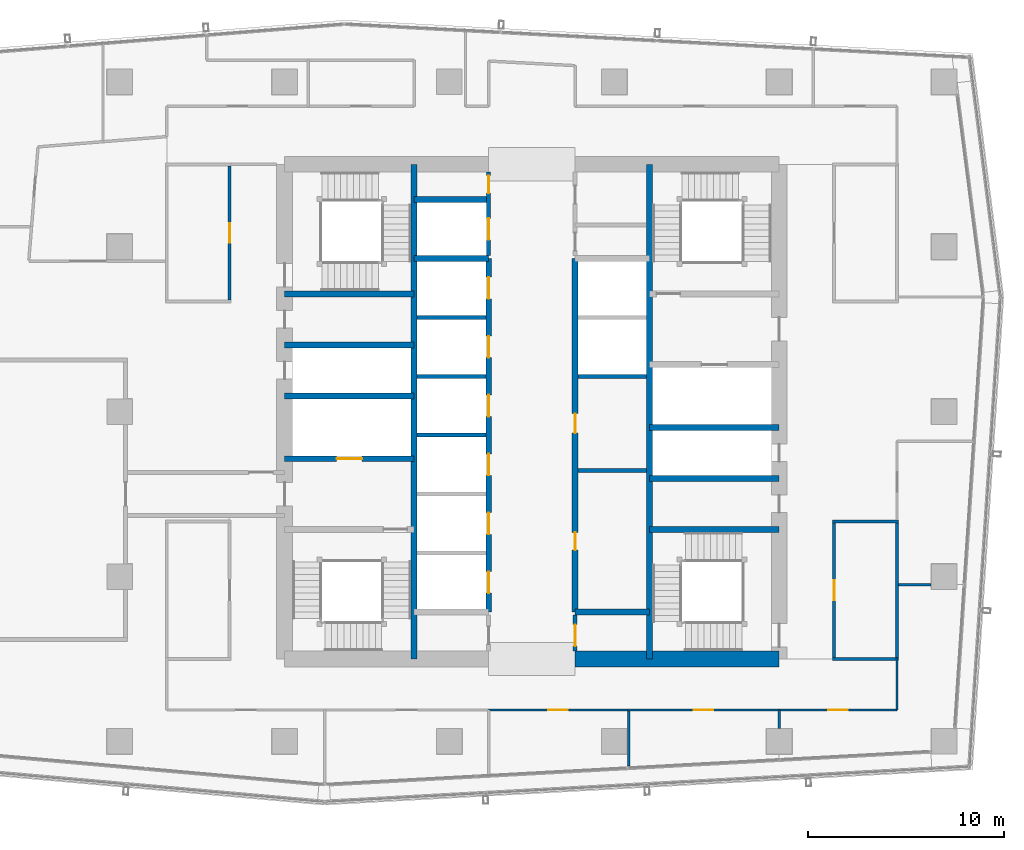
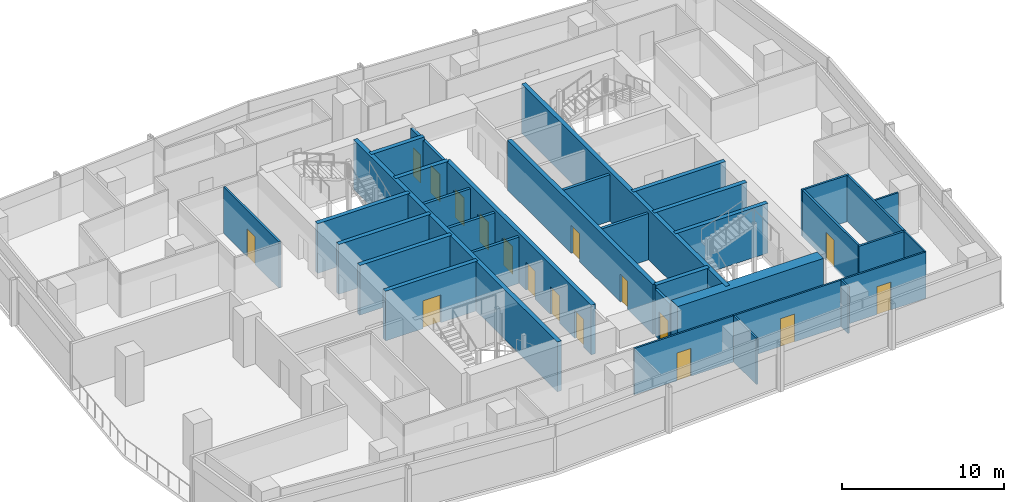
# One storey, part 21 of 28: 34 walls, 17 doors, 17 openings.
"""IFC4 building model written with IfcOpenShell, lengths in metres."""

from ifc_helpers import new_model, si_unit, direction, frame, frame_2d, origin, place, context, subcontext, project, spatial, rectangle, extrude, material, layer, layer_set, type_object, element, fill, save


model = new_model("IFC4")

# Units and contexts
model_context = context("Model", 3, precision=1e-05, world=origin(), true_north=direction((0.0, 1.0)))
body_context = subcontext(model_context, "Body", "Model", "MODEL_VIEW")
ifc_project = project(units=[si_unit("LENGTHUNIT", "METRE"), si_unit("AREAUNIT", "SQUARE_METRE"), si_unit("VOLUMEUNIT", "CUBIC_METRE"), si_unit("PLANEANGLEUNIT", "RADIAN"), si_unit("MASSUNIT", "GRAM", prefix="KILO")], contexts=[model_context])

# Site, building, storey
site_placement = place(None, origin())
site = spatial("IfcSite", under=ifc_project, at=site_placement, CompositionType="ELEMENT")
building_placement = place(site_placement, origin())
building = spatial("IfcBuilding", under=site, at=building_placement, Name="Rekha Terrace Tower", CompositionType="ELEMENT")
storey_placement = place(building_placement, frame((0.0, 0.0, 268.85009765625)))
storey = spatial("IfcBuildingStorey", under=building, at=storey_placement, Name="L68", CompositionType="ELEMENT", Elevation=268.85009765625)

# Walls
ifc_material_1 = material(Name="Concrete M60", Category="concrete")
ifc_layer_1 = layer(ifc_material_1, 0.300048828125)
ifc_layer_set_1 = layer_set([ifc_layer_1], Name="Concrete M60")
wall_type_1 = type_object("IfcWallType", Name="CI5 300 core internal shear wall", PredefinedType="SHEAR", material=ifc_layer_set_1)
for number, where, z_axis, x_axis, name in (
    (1, (31.800048828125, 21.0, 0.0), (0.0, 0.0, 1.0), (0.0, 1.0, 0.0), "Core wall X318 L68"),
    (2, (43.800048828125, 21.0, 0.0), (0.0, 0.0, 1.0), (0.0, 1.0, 0.0), "Core wall X438 L68"),
):
    element("IfcWall", number, at=place(storey_placement, frame(where, z_axis=z_axis, x_axis=x_axis)), inside=storey, type_object=wall_type_1, Name=name, PredefinedType="SHEAR", context=body_context, shape_type="SweptSolid", body=[
        extrude(rectangle(XDim=25.199951171875, YDim=0.300048828125, at=frame_2d((12.60009765625, 0.0))), origin(), (0.0, 0.0, 1.0), 3.75),
    ])

# Wall, openings, doors
wall_1_placement = place(storey_placement, frame((35.60009765625, 23.39990234375, 0.0), z_axis=(0.0, 0.0, 1.0), x_axis=(0.0, 1.0, 0.0)))
wall_1 = element("IfcWall", 3, at=wall_1_placement, inside=storey, type_object=wall_type_1, Name="Core wall X356 L68", PredefinedType="SHEAR", context=body_context, shape_type="SweptSolid", body=[
    extrude(rectangle(XDim=18.0, YDim=0.300048828125, at=frame_2d((9.0, 0.0))), origin(), (0.0, 0.0, 1.0), 3.75),
])
opening_1_placement = place(wall_1_placement, frame((0.949951171875, 0.0, 0.0)))
opening_1 = element("IfcOpeningElement", 4, at=opening_1_placement, cuts=wall_1, Name="Opening LD1", PredefinedType="OPENING", context=body_context, shape_type="SweptSolid", body=[
    extrude(rectangle(XDim=1.10009765625, YDim=2.10009765625, at=frame_2d((0.550048828125, 1.050048828125))), frame((0.0, 0.159912109375, 0.0), z_axis=(0.0, -1.0, 0.0), x_axis=(1.0, 0.0, 0.0)), (0.0, 0.0, 1.0), 0.320068359375),
])
opening_2_placement = place(wall_1_placement, frame((3.949951171875, 0.0, 0.0)))
opening_2 = element("IfcOpeningElement", 5, at=opening_2_placement, cuts=wall_1, Name="Opening LD1", PredefinedType="OPENING", context=body_context, shape_type="SweptSolid", body=[
    extrude(rectangle(XDim=1.10009765625, YDim=2.10009765625, at=frame_2d((0.550048828125, 1.050048828125))), frame((0.0, 0.159912109375, 0.0), z_axis=(0.0, -1.0, 0.0), x_axis=(1.0, 0.0, 0.0)), (0.0, 0.0, 1.0), 0.320068359375),
])
opening_3_placement = place(wall_1_placement, frame((6.949951171875, 0.0, 0.0)))
opening_3 = element("IfcOpeningElement", 6, at=opening_3_placement, cuts=wall_1, Name="Opening LD1", PredefinedType="OPENING", context=body_context, shape_type="SweptSolid", body=[
    extrude(rectangle(XDim=1.10009765625, YDim=2.10009765625, at=frame_2d((0.550048828125, 1.050048828125))), frame((0.0, 0.159912109375, 0.0), z_axis=(0.0, -1.0, 0.0), x_axis=(1.0, 0.0, 0.0)), (0.0, 0.0, 1.0), 0.320068359375),
])
opening_4_placement = place(wall_1_placement, frame((9.949951171875, 0.0, 0.0)))
opening_4 = element("IfcOpeningElement", 7, at=opening_4_placement, cuts=wall_1, Name="Opening LD1", PredefinedType="OPENING", context=body_context, shape_type="SweptSolid", body=[
    extrude(rectangle(XDim=1.10009765625, YDim=2.10009765625, at=frame_2d((0.550048828125, 1.050048828125))), frame((0.0, 0.159912109375, 0.0), z_axis=(0.0, -1.0, 0.0), x_axis=(1.0, 0.0, 0.0)), (0.0, 0.0, 1.0), 0.320068359375),
])
opening_5_placement = place(wall_1_placement, frame((12.949951171875, 0.0, 0.0)))
opening_5 = element("IfcOpeningElement", 8, at=opening_5_placement, cuts=wall_1, Name="Opening LD1", PredefinedType="OPENING", context=body_context, shape_type="SweptSolid", body=[
    extrude(rectangle(XDim=1.10009765625, YDim=2.10009765625, at=frame_2d((0.550048828125, 1.050048828125))), frame((0.0, 0.159912109375, 0.0), z_axis=(0.0, -1.0, 0.0), x_axis=(1.0, 0.0, 0.0)), (0.0, 0.0, 1.0), 0.320068359375),
])
opening_6_placement = place(wall_1_placement, frame((15.949951171875, 0.0, 0.0)))
opening_6 = element("IfcOpeningElement", 9, at=opening_6_placement, cuts=wall_1, Name="Opening LD1", PredefinedType="OPENING", context=body_context, shape_type="SweptSolid", body=[
    extrude(rectangle(XDim=1.10009765625, YDim=2.10009765625, at=frame_2d((0.550048828125, 1.050048828125))), frame((0.0, 0.159912109375, 0.0), z_axis=(0.0, -1.0, 0.0), x_axis=(1.0, 0.0, 0.0)), (0.0, 0.0, 1.0), 0.320068359375),
])
ifc_material_2 = material(Name="Stainless steel sliding landing door", Category="steel")
door_type_1 = type_object("IfcDoorType", Name="LD1 1100x2100 lift landing door", OperationType="SLIDING_TO_LEFT", PredefinedType="USERDEFINED", material=ifc_material_2)
door_1_placement = place(opening_1_placement, origin())
door_1 = element("IfcDoor", 10, at=door_1_placement, inside=storey, type_object=door_type_1, Name="Lift D1 landing door L68", ObjectType="LIFT LANDING DOOR", OperationType="SLIDING_TO_LEFT", OverallHeight=2.10009765625, OverallWidth=1.10009765625, PredefinedType="USERDEFINED", context=body_context, shape_type="SweptSolid", body=[
    extrude(rectangle(XDim=1.10009765625, YDim=2.10009765625, at=frame_2d((0.550048828125, 1.050048828125))), frame((0.0, 0.02490234375, 0.0), z_axis=(0.0, -1.0, 0.0), x_axis=(1.0, 0.0, 0.0)), (0.0, 0.0, 1.0), 0.050048828125),
])
fill(opening_1, door_1)
door_2_placement = place(opening_2_placement, origin())
door_2 = element("IfcDoor", 11, at=door_2_placement, inside=storey, type_object=door_type_1, Name="Lift D2 landing door L68", ObjectType="LIFT LANDING DOOR", OperationType="SLIDING_TO_LEFT", OverallHeight=2.10009765625, OverallWidth=1.10009765625, PredefinedType="USERDEFINED", context=body_context, shape_type="SweptSolid", body=[
    extrude(rectangle(XDim=1.10009765625, YDim=2.10009765625, at=frame_2d((0.550048828125, 1.050048828125))), frame((0.0, 0.02490234375, 0.0), z_axis=(0.0, -1.0, 0.0), x_axis=(1.0, 0.0, 0.0)), (0.0, 0.0, 1.0), 0.050048828125),
])
fill(opening_2, door_2)
door_3_placement = place(opening_3_placement, origin())
door_3 = element("IfcDoor", 12, at=door_3_placement, inside=storey, type_object=door_type_1, Name="Lift D3 landing door L68", ObjectType="LIFT LANDING DOOR", OperationType="SLIDING_TO_LEFT", OverallHeight=2.10009765625, OverallWidth=1.10009765625, PredefinedType="USERDEFINED", context=body_context, shape_type="SweptSolid", body=[
    extrude(rectangle(XDim=1.10009765625, YDim=2.10009765625, at=frame_2d((0.550048828125, 1.050048828125))), frame((0.0, 0.02490234375, 0.0), z_axis=(0.0, -1.0, 0.0), x_axis=(1.0, 0.0, 0.0)), (0.0, 0.0, 1.0), 0.050048828125),
])
fill(opening_3, door_3)
door_4_placement = place(opening_4_placement, origin())
door_4 = element("IfcDoor", 13, at=door_4_placement, inside=storey, type_object=door_type_1, Name="Lift D4 landing door L68", ObjectType="LIFT LANDING DOOR", OperationType="SLIDING_TO_LEFT", OverallHeight=2.10009765625, OverallWidth=1.10009765625, PredefinedType="USERDEFINED", context=body_context, shape_type="SweptSolid", body=[
    extrude(rectangle(XDim=1.10009765625, YDim=2.10009765625, at=frame_2d((0.550048828125, 1.050048828125))), frame((0.0, 0.02490234375, 0.0), z_axis=(0.0, -1.0, 0.0), x_axis=(1.0, 0.0, 0.0)), (0.0, 0.0, 1.0), 0.050048828125),
])
fill(opening_4, door_4)
door_5_placement = place(opening_5_placement, origin())
door_5 = element("IfcDoor", 14, at=door_5_placement, inside=storey, type_object=door_type_1, Name="Lift D5 landing door L68", ObjectType="LIFT LANDING DOOR", OperationType="SLIDING_TO_LEFT", OverallHeight=2.10009765625, OverallWidth=1.10009765625, PredefinedType="USERDEFINED", context=body_context, shape_type="SweptSolid", body=[
    extrude(rectangle(XDim=1.10009765625, YDim=2.10009765625, at=frame_2d((0.550048828125, 1.050048828125))), frame((0.0, 0.02490234375, 0.0), z_axis=(0.0, -1.0, 0.0), x_axis=(1.0, 0.0, 0.0)), (0.0, 0.0, 1.0), 0.050048828125),
])
fill(opening_5, door_5)
door_6_placement = place(opening_6_placement, origin())
door_6 = element("IfcDoor", 15, at=door_6_placement, inside=storey, type_object=door_type_1, Name="Lift D6 landing door L68", ObjectType="LIFT LANDING DOOR", OperationType="SLIDING_TO_LEFT", OverallHeight=2.10009765625, OverallWidth=1.10009765625, PredefinedType="USERDEFINED", context=body_context, shape_type="SweptSolid", body=[
    extrude(rectangle(XDim=1.10009765625, YDim=2.10009765625, at=frame_2d((0.550048828125, 1.050048828125))), frame((0.0, 0.02490234375, 0.0), z_axis=(0.0, -1.0, 0.0), x_axis=(1.0, 0.0, 0.0)), (0.0, 0.0, 1.0), 0.050048828125),
])
fill(opening_6, door_6)

wall_2_placement = place(storey_placement, frame((40.0, 23.39990234375, 0.0), z_axis=(0.0, 0.0, 1.0), x_axis=(0.0, 1.0, 0.0)))
wall_2 = element("IfcWall", 16, at=wall_2_placement, inside=storey, type_object=wall_type_1, Name="Core wall X400 L68", PredefinedType="SHEAR", context=body_context, shape_type="SweptSolid", body=[
    extrude(rectangle(XDim=18.0, YDim=0.300048828125, at=frame_2d((9.0, 0.0))), origin(), (0.0, 0.0, 1.0), 3.75),
])
opening_7_placement = place(wall_2_placement, frame((3.14990234375, 0.0, 0.0)))
opening_7 = element("IfcOpeningElement", 17, at=opening_7_placement, cuts=wall_2, Name="Opening D5", PredefinedType="OPENING", context=body_context, shape_type="SweptSolid", body=[
    extrude(rectangle(XDim=0.89990234375, YDim=2.10009765625, at=frame_2d((0.449951171875, 1.050048828125))), frame((0.0, 0.159912109375, 0.0), z_axis=(0.0, -1.0, 0.0), x_axis=(1.0, 0.0, 0.0)), (0.0, 0.0, 1.0), 0.320068359375),
])
opening_8_placement = place(wall_2_placement, frame((9.10009765625, 0.0, 0.0)))
opening_8 = element("IfcOpeningElement", 18, at=opening_8_placement, cuts=wall_2, Name="Opening D9", PredefinedType="OPENING", context=body_context, shape_type="SweptSolid", body=[
    extrude(rectangle(XDim=1.0, YDim=2.10009765625, at=frame_2d((0.5, 1.050048828125))), frame((0.0, 0.159912109375, 0.0), z_axis=(0.0, -1.0, 0.0), x_axis=(1.0, 0.0, 0.0)), (0.0, 0.0, 1.0), 0.320068359375),
])
ifc_material_3 = material(Name="Steel fire door", Category="steel")
door_type_2 = type_object("IfcDoorType", Name="D5 900x2100 riser access door", OperationType="SINGLE_SWING_LEFT", PredefinedType="DOOR", material=ifc_material_3)
door_7_placement = place(opening_7_placement, origin())
door_7 = element("IfcDoor", 19, at=door_7_placement, inside=storey, type_object=door_type_2, Name="Door back-of-house store L68", OperationType="SINGLE_SWING_LEFT", OverallHeight=2.10009765625, OverallWidth=0.89990234375, PredefinedType="DOOR", context=body_context, shape_type="SweptSolid", body=[
    extrude(rectangle(XDim=0.89990234375, YDim=2.10009765625, at=frame_2d((0.449951171875, 1.050048828125))), frame((0.0, 0.02490234375, 0.0), z_axis=(0.0, -1.0, 0.0), x_axis=(1.0, 0.0, 0.0)), (0.0, 0.0, 1.0), 0.050048828125),
])
fill(opening_7, door_7)
ifc_material_4 = material(Name="Timber fire door", Category="wood")
door_type_3 = type_object("IfcDoorType", Name="D9 1000x2100 office door", OperationType="SINGLE_SWING_LEFT", PredefinedType="DOOR", material=ifc_material_4)
door_8_placement = place(opening_8_placement, origin())
door_8 = element("IfcDoor", 20, at=door_8_placement, inside=storey, type_object=door_type_3, Name="Door pantry and vending room L68", OperationType="SINGLE_SWING_LEFT", OverallHeight=2.10009765625, OverallWidth=1.0, PredefinedType="DOOR", context=body_context, shape_type="SweptSolid", body=[
    extrude(rectangle(XDim=1.0, YDim=2.10009765625, at=frame_2d((0.5, 1.050048828125))), frame((0.0, 0.02490234375, 0.0), z_axis=(0.0, -1.0, 0.0), x_axis=(1.0, 0.0, 0.0)), (0.0, 0.0, 1.0), 0.050048828125),
])
fill(opening_8, door_8)

# Walls
for number, where, z_axis, x_axis, name in (
    (21, (31.800048828125, 41.39990234375, 0.0), (0.0, 0.0, 1.0), (1.0, 0.0, 0.0), "Core wall Y414W L68"),
    (22, (31.800048828125, 44.39990234375, 0.0), (0.0, 0.0, 1.0), (1.0, 0.0, 0.0), "Core wall Y444W L68"),
    (23, (40.0, 23.39990234375, 0.0), (0.0, 0.0, 1.0), (1.0, 0.0, 0.0), "Core wall Y234E L68"),
):
    element("IfcWall", number, at=place(storey_placement, frame(where, z_axis=z_axis, x_axis=x_axis)), inside=storey, type_object=wall_type_1, Name=name, PredefinedType="SHEAR", context=body_context, shape_type="SweptSolid", body=[
        extrude(rectangle(XDim=3.800048828125, YDim=0.300048828125, at=frame_2d((1.89990234375, 0.0))), origin(), (0.0, 0.0, 1.0), 3.75),
    ])

# Wall, opening, door
wall_3_placement = place(storey_placement, frame((25.199951171875, 31.199951171875, 0.0), z_axis=(0.0, 0.0, 1.0), x_axis=(1.0, 0.0, 0.0)))
wall_3 = element("IfcWall", 24, at=wall_3_placement, inside=storey, type_object=wall_type_1, Name="Core wall Y312W L68", PredefinedType="SHEAR", context=body_context, shape_type="SweptSolid", body=[
    extrude(rectangle(XDim=6.60009765625, YDim=0.300048828125, at=frame_2d((3.300048828125, 0.0))), origin(), (0.0, 0.0, 1.0), 3.75),
])
opening_9_placement = place(wall_3_placement, frame((2.64990234375, 0.0, 0.0)))
opening_9 = element("IfcOpeningElement", 25, at=opening_9_placement, cuts=wall_3, Name="Opening LD2", PredefinedType="OPENING", context=body_context, shape_type="SweptSolid", body=[
    extrude(rectangle(XDim=1.300048828125, YDim=2.10009765625, at=frame_2d((0.64990234375, 1.050048828125))), frame((0.0, 0.159912109375, 0.0), z_axis=(0.0, -1.0, 0.0), x_axis=(1.0, 0.0, 0.0)), (0.0, 0.0, 1.0), 0.320068359375),
])
door_type_4 = type_object("IfcDoorType", Name="LD2 1300x2100 fire lift landing door", OperationType="SLIDING_TO_LEFT", PredefinedType="USERDEFINED", material=ifc_material_2)
door_9_placement = place(opening_9_placement, origin())
door_9 = element("IfcDoor", 26, at=door_9_placement, inside=storey, type_object=door_type_4, Name="Lift FL1 landing door L68", ObjectType="LIFT LANDING DOOR", OperationType="SLIDING_TO_LEFT", OverallHeight=2.10009765625, OverallWidth=1.300048828125, PredefinedType="USERDEFINED", context=body_context, shape_type="SweptSolid", body=[
    extrude(rectangle(XDim=1.300048828125, YDim=2.10009765625, at=frame_2d((0.64990234375, 1.050048828125))), frame((0.0, 0.02490234375, 0.0), z_axis=(0.0, -1.0, 0.0), x_axis=(1.0, 0.0, 0.0)), (0.0, 0.0, 1.0), 0.050048828125),
])
fill(opening_9, door_9)

# Walls
for number, where, z_axis, x_axis, name in (
    (27, (25.199951171875, 34.39990234375, 0.0), (0.0, 0.0, 1.0), (1.0, 0.0, 0.0), "Core wall Y344W L68"),
    (28, (25.199951171875, 37.0, 0.0), (0.0, 0.0, 1.0), (1.0, 0.0, 0.0), "Core wall Y370W L68"),
    (29, (25.199951171875, 39.60009765625, 0.0), (0.0, 0.0, 1.0), (1.0, 0.0, 0.0), "Core wall Y396W L68"),
):
    element("IfcWall", number, at=place(storey_placement, frame(where, z_axis=z_axis, x_axis=x_axis)), inside=storey, type_object=wall_type_1, Name=name, PredefinedType="SHEAR", context=body_context, shape_type="SweptSolid", body=[
        extrude(rectangle(XDim=6.60009765625, YDim=0.300048828125, at=frame_2d((3.300048828125, 0.0))), origin(), (0.0, 0.0, 1.0), 3.75),
    ])
for number, where, z_axis, x_axis, name in (
    (30, (43.800048828125, 27.60009765625, 0.0), (0.0, 0.0, 1.0), (1.0, 0.0, 0.0), "Core wall Y276E L68"),
    (31, (43.800048828125, 30.199951171875, 0.0), (0.0, 0.0, 1.0), (1.0, 0.0, 0.0), "Core wall Y302E L68"),
    (32, (43.800048828125, 32.800048828125, 0.0), (0.0, 0.0, 1.0), (1.0, 0.0, 0.0), "Core wall Y328E L68"),
):
    element("IfcWall", number, at=place(storey_placement, frame(where, z_axis=z_axis, x_axis=x_axis)), inside=storey, type_object=wall_type_1, Name=name, PredefinedType="SHEAR", context=body_context, shape_type="SweptSolid", body=[
        extrude(rectangle(XDim=6.599853515625, YDim=0.300048828125, at=frame_2d((3.2998046875, 0.0))), origin(), (0.0, 0.0, 1.0), 3.75),
    ])
ifc_layer_2 = layer(ifc_material_1, 0.800048828125)
ifc_layer_set_2 = layer_set([ifc_layer_2], Name="Concrete M60")
wall_type_2 = type_object("IfcWallType", Name="SW5 800 core outer shear wall", PredefinedType="SHEAR", material=ifc_layer_set_2)
wall_4_placement = place(storey_placement, frame((40.0, 21.0, 0.0), z_axis=(0.0, 0.0, 1.0), x_axis=(1.0, 0.0, 0.0)))
element("IfcWall", 33, at=wall_4_placement, inside=storey, type_object=wall_type_2, Name="Core wall S2 L68", PredefinedType="SHEAR", context=body_context, shape_type="SweptSolid", body=[
    extrude(rectangle(XDim=10.39990234375, YDim=0.800048828125, at=frame_2d((5.199951171875, 0.0))), origin(), (0.0, 0.0, 1.0), 3.75),
])

# Wall, opening, door
ifc_material_5 = material(Name="Concrete block masonry, 1 hour", Category="masonry")
ifc_layer_3 = layer(ifc_material_5, 0.14990234375)
ifc_layer_set_3 = layer_set([ifc_layer_3], Name="Concrete block masonry, 1 hour")
wall_type_3 = type_object("IfcWallType", Name="WP2 150 tenancy partition", PredefinedType="PARTITIONING", material=ifc_layer_set_3)
wall_5_placement = place(storey_placement, frame((22.39990234375, 39.27490234375, 0.0), z_axis=(0.0, 0.0, 1.0), x_axis=(0.0, 1.0, 0.0)))
wall_5 = element("IfcWall", 34, at=wall_5_placement, inside=storey, type_object=wall_type_3, Name="Women's WC wall L68", PredefinedType="PARTITIONING", context=body_context, shape_type="SweptSolid", body=[
    extrude(rectangle(XDim=6.85009765625, YDim=0.14990234375, at=frame_2d((3.425048828125, 0.0))), origin(), (0.0, 0.0, 1.0), 3.5),
])
opening_10_placement = place(wall_5_placement, frame((2.925048828125, 0.0, 0.0)))
opening_10 = element("IfcOpeningElement", 35, at=opening_10_placement, cuts=wall_5, Name="Opening D3", PredefinedType="OPENING", context=body_context, shape_type="SweptSolid", body=[
    extrude(rectangle(XDim=1.0, YDim=2.10009765625, at=frame_2d((0.5, 1.050048828125))), frame((0.0, 0.0849609375, 0.0), z_axis=(0.0, -1.0, 0.0), x_axis=(1.0, 0.0, 0.0)), (0.0, 0.0, 1.0), 0.169921875),
])
ifc_material_6 = material(Name="Laminated timber fire door", Category="wood")
door_type_5 = type_object("IfcDoorType", Name="D3 1000x2100 WC door", OperationType="SINGLE_SWING_LEFT", PredefinedType="DOOR", material=ifc_material_6)
door_10_placement = place(opening_10_placement, origin())
door_10 = element("IfcDoor", 36, at=door_10_placement, inside=storey, type_object=door_type_5, Name="Door women's wc L68", OperationType="SINGLE_SWING_LEFT", OverallHeight=2.10009765625, OverallWidth=1.0, PredefinedType="DOOR", context=body_context, shape_type="SweptSolid", body=[
    extrude(rectangle(XDim=1.0, YDim=2.10009765625, at=frame_2d((0.5, 1.050048828125))), frame((0.0, 0.02490234375, 0.0), z_axis=(0.0, -1.0, 0.0), x_axis=(1.0, 0.0, 0.0)), (0.0, 0.0, 1.0), 0.050048828125),
])
fill(opening_10, door_10)

# Walls
for number, where, z_axis, x_axis, name in (
    (37, (53.125, 21.0, 0.0), (0.0, 0.0, 1.0), (1.0, 0.0, 0.0), "Men's WC wall L68"),
    (38, (53.125, 28.0, 0.0), (0.0, 0.0, 1.0), (1.0, 0.0, 0.0), "Men's WC wall L68"),
):
    element("IfcWall", number, at=place(storey_placement, frame(where, z_axis=z_axis, x_axis=x_axis)), inside=storey, type_object=wall_type_3, Name=name, PredefinedType="PARTITIONING", context=body_context, shape_type="SweptSolid", body=[
        extrude(rectangle(XDim=3.35009765625, YDim=0.14990234375, at=frame_2d((1.675048828125, 0.0))), origin(), (0.0, 0.0, 1.0), 3.5),
    ])

# Wall, opening, door
wall_6_placement = place(storey_placement, frame((53.199951171875, 21.074951171875, 0.0), z_axis=(0.0, 0.0, 1.0), x_axis=(0.0, 1.0, 0.0)))
wall_6 = element("IfcWall", 39, at=wall_6_placement, inside=storey, type_object=wall_type_3, Name="Men's WC wall L68", PredefinedType="PARTITIONING", context=body_context, shape_type="SweptSolid", body=[
    extrude(rectangle(XDim=6.85009765625, YDim=0.14990234375, at=frame_2d((3.425048828125, 0.0))), origin(), (0.0, 0.0, 1.0), 3.5),
])
opening_11_placement = place(wall_6_placement, frame((2.925048828125, 0.0, 0.0)))
opening_11 = element("IfcOpeningElement", 40, at=opening_11_placement, cuts=wall_6, Name="Opening D3", PredefinedType="OPENING", context=body_context, shape_type="SweptSolid", body=[
    extrude(rectangle(XDim=1.0, YDim=2.10009765625, at=frame_2d((0.5, 1.050048828125))), frame((0.0, 0.0849609375, 0.0), z_axis=(0.0, -1.0, 0.0), x_axis=(1.0, 0.0, 0.0)), (0.0, 0.0, 1.0), 0.169921875),
])
door_11_placement = place(opening_11_placement, origin())
door_11 = element("IfcDoor", 41, at=door_11_placement, inside=storey, type_object=door_type_5, Name="Door men's wc L68", OperationType="SINGLE_SWING_LEFT", OverallHeight=2.10009765625, OverallWidth=1.0, PredefinedType="DOOR", context=body_context, shape_type="SweptSolid", body=[
    extrude(rectangle(XDim=1.0, YDim=2.10009765625, at=frame_2d((0.5, 1.050048828125))), frame((0.0, 0.02490234375, 0.0), z_axis=(0.0, -1.0, 0.0), x_axis=(1.0, 0.0, 0.0)), (0.0, 0.0, 1.0), 0.050048828125),
])
fill(opening_11, door_11)

# Wall
wall_7_placement = place(storey_placement, frame((56.39990234375, 21.074951171875, 0.0), z_axis=(0.0, 0.0, 1.0), x_axis=(0.0, 1.0, 0.0)))
element("IfcWall", 42, at=wall_7_placement, inside=storey, type_object=wall_type_3, Name="Men's WC wall L68", PredefinedType="PARTITIONING", context=body_context, shape_type="SweptSolid", body=[
    extrude(rectangle(XDim=6.85009765625, YDim=0.14990234375, at=frame_2d((3.425048828125, 0.0))), origin(), (0.0, 0.0, 1.0), 3.5),
])

# Wall, opening, door
ifc_material_7 = material(Name="Two layers of fire-rated gypsum board each side on steel studs, acoustic quilt, 1 hour", Category="steel")
ifc_layer_4 = layer(ifc_material_7, 0.125)
ifc_layer_set_4 = layer_set([ifc_layer_4], Name="Two layers of fire-rated gypsum board each side on steel studs, acoustic quilt, 1 hour")
wall_type_4 = type_object("IfcWallType", Name="WP3 125 office partition", PredefinedType="PARTITIONING", material=ifc_layer_set_4)
wall_8_placement = place(storey_placement, frame((35.59912109375, 18.39990234375, 0.0), z_axis=(0.0, 0.0, 1.0), x_axis=(1.0, 0.0, 0.0)))
wall_8 = element("IfcWall", 43, at=wall_8_placement, inside=storey, type_object=wall_type_4, Name="Partition L68-02", PredefinedType="PARTITIONING", context=body_context, shape_type="SweptSolid", body=[
    extrude(rectangle(XDim=7.073974609375, YDim=0.125, at=frame_2d((3.537109375, 0.0))), origin(), (0.0, 0.0, 1.0), 3.5),
])
opening_12_placement = place(wall_8_placement, frame((3.037109375, 0.0, 0.0)))
opening_12 = element("IfcOpeningElement", 44, at=opening_12_placement, cuts=wall_8, Name="Opening D9", PredefinedType="OPENING", context=body_context, shape_type="SweptSolid", body=[
    extrude(rectangle(XDim=1.0, YDim=2.10009765625, at=frame_2d((0.5, 1.050048828125))), frame((0.0, 0.072509765625, 0.0), z_axis=(0.0, -1.0, 0.0), x_axis=(1.0, 0.0, 0.0)), (0.0, 0.0, 1.0), 0.14501953125),
])
door_12_placement = place(opening_12_placement, origin())
door_12 = element("IfcDoor", 45, at=door_12_placement, inside=storey, type_object=door_type_3, Name="Door wellness room L68", OperationType="SINGLE_SWING_LEFT", OverallHeight=2.10009765625, OverallWidth=1.0, PredefinedType="DOOR", context=body_context, shape_type="SweptSolid", body=[
    extrude(rectangle(XDim=1.0, YDim=2.10009765625, at=frame_2d((0.5, 1.050048828125))), frame((0.0, 0.02490234375, 0.0), z_axis=(0.0, -1.0, 0.0), x_axis=(1.0, 0.0, 0.0)), (0.0, 0.0, 1.0), 0.050048828125),
])
fill(opening_12, door_12)

# Wall
wall_9_placement = place(storey_placement, frame((42.741943359375, 18.3369140625, 0.0), z_axis=(0.0, 0.0, 1.0), x_axis=(0.0, -1.0, 0.0)))
element("IfcWall", 46, at=wall_9_placement, inside=storey, type_object=wall_type_4, Name="Partition L68-02", PredefinedType="PARTITIONING", context=body_context, shape_type="SweptSolid", body=[
    extrude(rectangle(XDim=2.798828125, YDim=0.125, at=frame_2d((1.3994140625, 0.0))), origin(), (0.0, 0.0, 1.0), 3.5),
])

# Wall, opening, door
wall_10_placement = place(storey_placement, frame((42.674072265625, 18.39990234375, 0.0), z_axis=(0.0, 0.0, 1.0), x_axis=(1.0, 0.0, 0.0)))
wall_10 = element("IfcWall", 47, at=wall_10_placement, inside=storey, type_object=wall_type_4, Name="Partition L68-03", PredefinedType="PARTITIONING", context=body_context, shape_type="SweptSolid", body=[
    extrude(rectangle(XDim=7.725830078125, YDim=0.125, at=frame_2d((3.86279296875, 0.0))), origin(), (0.0, 0.0, 1.0), 3.5),
])
opening_13_placement = place(wall_10_placement, frame((3.363037109375, 0.0, 0.0)))
opening_13 = element("IfcOpeningElement", 48, at=opening_13_placement, cuts=wall_10, Name="Opening D9", PredefinedType="OPENING", context=body_context, shape_type="SweptSolid", body=[
    extrude(rectangle(XDim=1.0, YDim=2.10009765625, at=frame_2d((0.5, 1.050048828125))), frame((0.0, 0.072509765625, 0.0), z_axis=(0.0, -1.0, 0.0), x_axis=(1.0, 0.0, 0.0)), (0.0, 0.0, 1.0), 0.14501953125),
])
door_13_placement = place(opening_13_placement, origin())
door_13 = element("IfcDoor", 49, at=door_13_placement, inside=storey, type_object=door_type_3, Name="Door quiet room L68", OperationType="SINGLE_SWING_LEFT", OverallHeight=2.10009765625, OverallWidth=1.0, PredefinedType="DOOR", context=body_context, shape_type="SweptSolid", body=[
    extrude(rectangle(XDim=1.0, YDim=2.10009765625, at=frame_2d((0.5, 1.050048828125))), frame((0.0, 0.02490234375, 0.0), z_axis=(0.0, -1.0, 0.0), x_axis=(1.0, 0.0, 0.0)), (0.0, 0.0, 1.0), 0.050048828125),
])
fill(opening_13, door_13)

# Walls
wall_11_placement = place(storey_placement, frame((50.39990234375, 18.39990234375, 0.0), z_axis=(0.0, 0.0, 1.0), x_axis=(0.0, -1.0, 0.0)))
element("IfcWall", 50, at=wall_11_placement, inside=storey, type_object=wall_type_4, Name="Partition L68-03", PredefinedType="PARTITIONING", context=body_context, shape_type="SweptSolid", body=[
    extrude(rectangle(XDim=0.929931640625, YDim=0.125, at=frame_2d((0.46484375, 0.0))), origin(), (0.0, 0.0, 1.0), 3.5),
])
wall_12_placement = place(storey_placement, frame((56.47509765625, 24.785888671875, 0.0), z_axis=(0.0, 0.0, 1.0), x_axis=(1.0, 0.0, 0.0)))
element("IfcWall", 51, at=wall_12_placement, inside=storey, type_object=wall_type_4, Name="Partition L68-04", PredefinedType="PARTITIONING", context=body_context, shape_type="SweptSolid", body=[
    extrude(rectangle(XDim=1.65478515625, YDim=0.125, at=frame_2d((0.827392578125, 0.0))), origin(), (0.0, 0.0, 1.0), 3.5),
])

# Wall, opening, door
wall_13_placement = place(storey_placement, frame((50.40087890625, 18.39990234375, 0.0), z_axis=(0.0, 0.0, 1.0), x_axis=(1.0, 0.0, 0.0)))
wall_13 = element("IfcWall", 52, at=wall_13_placement, inside=storey, type_object=wall_type_4, Name="Partition L68-04", PredefinedType="PARTITIONING", context=body_context, shape_type="SweptSolid", body=[
    extrude(rectangle(XDim=5.9990234375, YDim=0.125, at=frame_2d((2.99951171875, 0.0))), origin(), (0.0, 0.0, 1.0), 3.5),
])
opening_14_placement = place(wall_13_placement, frame((2.4990234375, 0.0, 0.0)))
opening_14 = element("IfcOpeningElement", 53, at=opening_14_placement, cuts=wall_13, Name="Opening D9", PredefinedType="OPENING", context=body_context, shape_type="SweptSolid", body=[
    extrude(rectangle(XDim=1.0, YDim=2.10009765625, at=frame_2d((0.5, 1.050048828125))), frame((0.0, 0.072509765625, 0.0), z_axis=(0.0, -1.0, 0.0), x_axis=(1.0, 0.0, 0.0)), (0.0, 0.0, 1.0), 0.14501953125),
])
door_14_placement = place(opening_14_placement, origin())
door_14 = element("IfcDoor", 54, at=door_14_placement, inside=storey, type_object=door_type_3, Name="Door director's office L68", OperationType="SINGLE_SWING_LEFT", OverallHeight=2.10009765625, OverallWidth=1.0, PredefinedType="DOOR", context=body_context, shape_type="SweptSolid", body=[
    extrude(rectangle(XDim=1.0, YDim=2.10009765625, at=frame_2d((0.5, 1.050048828125))), frame((0.0, 0.02490234375, 0.0), z_axis=(0.0, -1.0, 0.0), x_axis=(1.0, 0.0, 0.0)), (0.0, 0.0, 1.0), 0.050048828125),
])
fill(opening_14, door_14)

# Walls
wall_14_placement = place(storey_placement, frame((56.39990234375, 18.39990234375, 0.0), z_axis=(0.0, 0.0, 1.0), x_axis=(0.0, 1.0, 0.0)))
element("IfcWall", 55, at=wall_14_placement, inside=storey, type_object=wall_type_4, Name="Partition L68-04", PredefinedType="PARTITIONING", context=body_context, shape_type="SweptSolid", body=[
    extrude(rectangle(XDim=2.675048828125, YDim=0.125, at=frame_2d((1.33740234375, 0.0))), origin(), (0.0, 0.0, 1.0), 3.5),
])
ifc_material_8 = material(Name="Solid concrete block masonry, 2 hour", Category="masonry")
ifc_layer_5 = layer(ifc_material_8, 0.199951171875)
ifc_layer_set_5 = layer_set([ifc_layer_5], Name="Solid concrete block masonry, 2 hour")
wall_type_5 = type_object("IfcWallType", Name="WS1 200 stair and shaft enclosure", PredefinedType="PARTITIONING", material=ifc_layer_set_5)
for number, where, z_axis, x_axis, name in (
    (56, (31.949951171875, 32.39990234375, 0.0), (0.0, 0.0, 1.0), (1.0, 0.0, 0.0), "Lift shaft divider L68"),
    (57, (31.949951171875, 35.39990234375, 0.0), (0.0, 0.0, 1.0), (1.0, 0.0, 0.0), "Lift shaft divider L68"),
    (58, (31.949951171875, 38.39990234375, 0.0), (0.0, 0.0, 1.0), (1.0, 0.0, 0.0), "Lift shaft divider L68"),
    (59, (40.14990234375, 35.39990234375, 0.0), (0.0, 0.0, 1.0), (1.0, 0.0, 0.0), "Lift shaft divider L68"),
):
    element("IfcWall", number, at=place(storey_placement, frame(where, z_axis=z_axis, x_axis=x_axis)), inside=storey, type_object=wall_type_5, Name=name, PredefinedType="PARTITIONING", context=body_context, shape_type="SweptSolid", body=[
        extrude(rectangle(XDim=3.5, YDim=0.199951171875, at=frame_2d((1.75, 0.0))), origin(), (0.0, 0.0, 1.0), 3.5),
    ])

# Wall, opening, door
wall_15_placement = place(storey_placement, frame((40.0, 21.39990234375, 0.0), z_axis=(0.0, 0.0, 1.0), x_axis=(0.0, 1.0, 0.0)))
wall_15 = element("IfcWall", 60, at=wall_15_placement, inside=storey, type_object=wall_type_5, Name="Core partition wca L68", PredefinedType="PARTITIONING", context=body_context, shape_type="SweptSolid", body=[
    extrude(rectangle(XDim=1.85009765625, YDim=0.199951171875, at=frame_2d((0.925048828125, 0.0))), origin(), (0.0, 0.0, 1.0), 3.5),
])
opening_15_placement = place(wall_15_placement, frame((0.25, 0.0, 0.0)))
opening_15 = element("IfcOpeningElement", 61, at=opening_15_placement, cuts=wall_15, Name="Opening D4", PredefinedType="OPENING", context=body_context, shape_type="SweptSolid", body=[
    extrude(rectangle(XDim=1.10009765625, YDim=2.10009765625, at=frame_2d((0.550048828125, 1.050048828125))), frame((0.0, 0.10986328125, 0.0), z_axis=(0.0, -1.0, 0.0), x_axis=(1.0, 0.0, 0.0)), (0.0, 0.0, 1.0), 0.219970703125),
])
door_type_6 = type_object("IfcDoorType", Name="D4 1100x2100 accessible WC door", OperationType="SLIDING_TO_LEFT", PredefinedType="DOOR", material=ifc_material_6)
door_15_placement = place(opening_15_placement, origin())
door_15 = element("IfcDoor", 62, at=door_15_placement, inside=storey, type_object=door_type_6, Name="Door wca L68", OperationType="SLIDING_TO_LEFT", OverallHeight=2.10009765625, OverallWidth=1.10009765625, PredefinedType="DOOR", context=body_context, shape_type="SweptSolid", body=[
    extrude(rectangle(XDim=1.10009765625, YDim=2.10009765625, at=frame_2d((0.550048828125, 1.050048828125))), frame((0.0, 0.02490234375, 0.0), z_axis=(0.0, -1.0, 0.0), x_axis=(1.0, 0.0, 0.0)), (0.0, 0.0, 1.0), 0.050048828125),
])
fill(opening_15, door_15)

# Wall, openings, doors
wall_16_placement = place(storey_placement, frame((35.60009765625, 41.550048828125, 0.0), z_axis=(0.0, 0.0, 1.0), x_axis=(0.0, 1.0, 0.0)))
wall_16 = element("IfcWall", 63, at=wall_16_placement, inside=storey, type_object=wall_type_5, Name="Core partition jansv L68", PredefinedType="PARTITIONING", context=body_context, shape_type="SweptSolid", body=[
    extrude(rectangle(XDim=4.25, YDim=0.199951171875, at=frame_2d((2.125, 0.0))), origin(), (0.0, 0.0, 1.0), 3.5),
])
opening_16_placement = place(wall_16_placement, frame((3.175048828125, 0.0, 0.0)))
opening_16 = element("IfcOpeningElement", 64, at=opening_16_placement, cuts=wall_16, Name="Opening D5", PredefinedType="OPENING", context=body_context, shape_type="SweptSolid", body=[
    extrude(rectangle(XDim=0.89990234375, YDim=2.10009765625, at=frame_2d((0.449951171875, 1.050048828125))), frame((0.0, 0.10986328125, 0.0), z_axis=(0.0, -1.0, 0.0), x_axis=(1.0, 0.0, 0.0)), (0.0, 0.0, 1.0), 0.219970703125),
])
opening_17_placement = place(wall_16_placement, frame((0.800048828125, 0.0, 0.0)))
opening_17 = element("IfcOpeningElement", 65, at=opening_17_placement, cuts=wall_16, Name="Opening LD1", PredefinedType="OPENING", context=body_context, shape_type="SweptSolid", body=[
    extrude(rectangle(XDim=1.10009765625, YDim=2.10009765625, at=frame_2d((0.550048828125, 1.050048828125))), frame((0.0, 0.10986328125, 0.0), z_axis=(0.0, -1.0, 0.0), x_axis=(1.0, 0.0, 0.0)), (0.0, 0.0, 1.0), 0.219970703125),
])
door_16_placement = place(opening_16_placement, origin())
door_16 = element("IfcDoor", 66, at=door_16_placement, inside=storey, type_object=door_type_2, Name="Door janitor room L68", OperationType="SINGLE_SWING_LEFT", OverallHeight=2.10009765625, OverallWidth=0.89990234375, PredefinedType="DOOR", context=body_context, shape_type="SweptSolid", body=[
    extrude(rectangle(XDim=0.89990234375, YDim=2.10009765625, at=frame_2d((0.449951171875, 1.050048828125))), frame((0.0, 0.02490234375, 0.0), z_axis=(0.0, -1.0, 0.0), x_axis=(1.0, 0.0, 0.0)), (0.0, 0.0, 1.0), 0.050048828125),
])
fill(opening_16, door_16)
door_17_placement = place(opening_17_placement, origin())
door_17 = element("IfcDoor", 67, at=door_17_placement, inside=storey, type_object=door_type_1, Name="Lift SV1 landing door L68", ObjectType="LIFT LANDING DOOR", OperationType="SLIDING_TO_LEFT", OverallHeight=2.10009765625, OverallWidth=1.10009765625, PredefinedType="USERDEFINED", context=body_context, shape_type="SweptSolid", body=[
    extrude(rectangle(XDim=1.10009765625, YDim=2.10009765625, at=frame_2d((0.550048828125, 1.050048828125))), frame((0.0, 0.02490234375, 0.0), z_axis=(0.0, -1.0, 0.0), x_axis=(1.0, 0.0, 0.0)), (0.0, 0.0, 1.0), 0.050048828125),
])
fill(opening_17, door_17)

# Wall
wall_17_placement = place(storey_placement, frame((40.14990234375, 30.60009765625, 0.0), z_axis=(0.0, 0.0, 1.0), x_axis=(1.0, 0.0, 0.0)))
element("IfcWall", 68, at=wall_17_placement, inside=storey, type_object=wall_type_5, Name="Core partition freed shafts L68", PredefinedType="PARTITIONING", context=body_context, shape_type="SweptSolid", body=[
    extrude(rectangle(XDim=3.5, YDim=0.199951171875, at=frame_2d((1.75, 0.0))), origin(), (0.0, 0.0, 1.0), 3.5),
])

save(model, "model.ifc")
